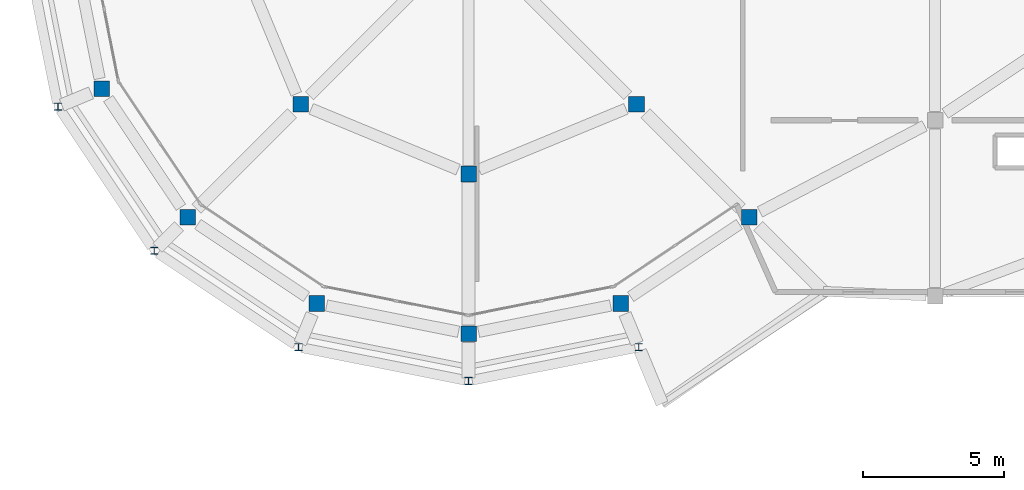
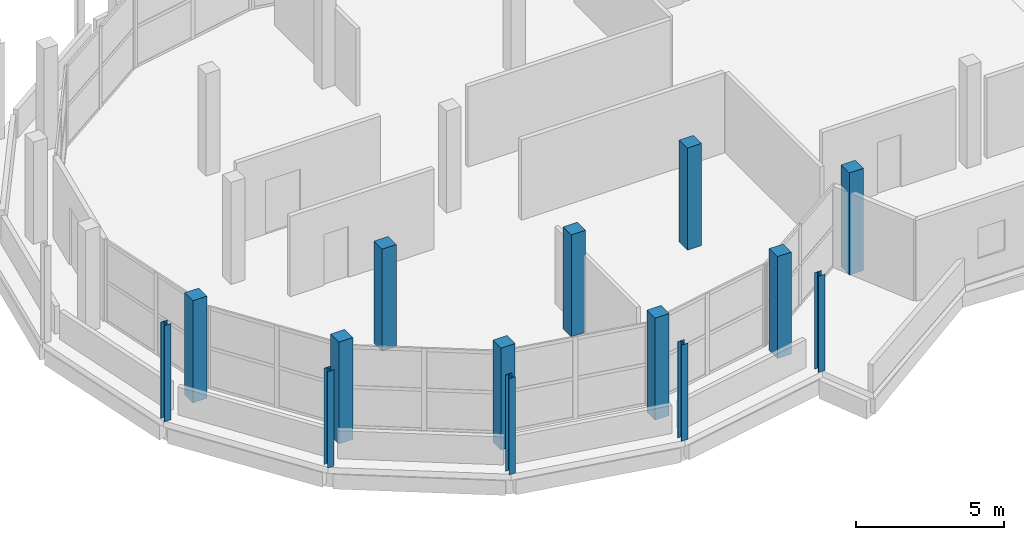
# One storey, part 1 of 63: 14 columns.
"""IFC4 building model written with IfcOpenShell, lengths in metres."""

from ifc_helpers import new_model, si_unit, direction, frame, origin, origin_2d, place, context, subcontext, project, spatial, rectangle, i_section, extrude, material, material_profile, profile_set, type_object, element, save


model = new_model("IFC4")

# Units and contexts
model_context = context("Model", 3, precision=1e-05, world=origin(), true_north=direction((0.0, 1.0)))
body_context = subcontext(model_context, "Body", "Model", "MODEL_VIEW")
ifc_project = project(units=[si_unit("LENGTHUNIT", "METRE"), si_unit("AREAUNIT", "SQUARE_METRE"), si_unit("VOLUMEUNIT", "CUBIC_METRE"), si_unit("PLANEANGLEUNIT", "RADIAN"), si_unit("MASSUNIT", "GRAM", prefix="KILO")], contexts=[model_context])

# Site, building, storey
site_placement = place(None, origin())
site = spatial("IfcSite", under=ifc_project, at=site_placement, CompositionType="ELEMENT")
building_placement = place(site_placement, origin())
building = spatial("IfcBuilding", under=site, at=building_placement, Name="Jelvoka-Kovrelna Polytechnic", CompositionType="ELEMENT")
storey_placement = place(building_placement, frame((0.0, 0.0, 18.0)))
storey = spatial("IfcBuildingStorey", under=building, at=storey_placement, Name="L05", CompositionType="ELEMENT", Elevation=18.0)

# Columns
ifc_material_1 = material(Name="Concrete C40/50", Category="concrete")
ifc_material_profile_1 = material_profile(ifc_material_1, rectangle(XDim=0.550048828125, YDim=0.550048828125, at=origin_2d()), Name="RC 550x550")
ifc_profile_set_1 = profile_set([ifc_material_profile_1], Name="Concrete C40/50")
column_type_1 = type_object("IfcColumnType", Name="Col_RC_550", PredefinedType="COLUMN", material=ifc_profile_set_1)
for number, where, z_axis, x_axis, name in (
    (1, (25.5, 28.449951171875, 0.0), (0.0, 0.0, 1.0), (1.0, 0.0, 0.0), "L05 column 0413"),
    (2, (20.123291015625, 29.51953125, 0.0), (0.0, 0.0, 1.0), (1.0, 0.0, 0.0), "L05 column 0419"),
    (3, (30.876708984375, 29.51953125, 0.0), (0.0, 0.0, 1.0), (1.0, 0.0, 0.0), "L05 column 0425"),
    (4, (15.565185546875, 32.565185546875, 0.0), (0.0, 0.0, 1.0), (1.0, 0.0, 0.0), "L05 column 0577"),
    (5, (35.434814453125, 32.565185546875, 0.0), (0.0, 0.0, 1.0), (1.0, 0.0, 0.0), "L05 column 0583"),
    (6, (25.5, 34.10009765625, 0.0), (0.0, 0.0, 1.0), (1.0, 0.0, 0.0), "L05 column 0589"),
    (7, (19.560302734375, 36.560302734375, 0.0), (0.0, 0.0, 1.0), (1.0, 0.0, 0.0), "L05 column 0601"),
    (8, (31.439697265625, 36.560302734375, 0.0), (0.0, 0.0, 1.0), (1.0, 0.0, 0.0), "L05 column 0607"),
    (9, (12.51953125, 37.123291015625, 0.0), (0.0, 0.0, 1.0), (1.0, 0.0, 0.0), "L05 column 0613"),
):
    element("IfcColumn", number, at=place(storey_placement, frame(where, z_axis=z_axis, x_axis=x_axis)), inside=storey, type_object=column_type_1, Name=name, PredefinedType="COLUMN", context=body_context, shape_type="SweptSolid", body=[
        extrude(rectangle(XDim=0.550048828125, YDim=0.550048828125, at=origin_2d()), origin(), (0.0, 0.0, 1.0), 4.199951171875),
    ])
ifc_material_2 = material(Name="Structural steel S355JR", Category="steel")
ifc_material_profile_2 = material_profile(ifc_material_2, i_section(OverallWidth=0.254638671875, OverallDepth=0.254150390625, WebThickness=0.008544921875, FlangeThickness=0.01416015625, FilletRadius=0.0126953125, at=origin_2d()), Name="254x254x73 UC")
ifc_profile_set_2 = profile_set([ifc_material_profile_2], Name="Structural steel S355JR")
column_type_2 = type_object("IfcColumnType", Name="Col_Steel_UC254", PredefinedType="COLUMN", material=ifc_profile_set_2)
for number, where, z_axis, x_axis, name in (
    (10, (10.9765625, 36.484130859375, 0.0), (0.0, 0.0, 1.0), (1.0, 0.0, 0.0), "L05 recessed rotunda gallery post 1763"),
    (11, (14.38427734375, 31.38427734375, 0.0), (0.0, 0.0, 1.0), (1.0, 0.0, 0.0), "L05 recessed rotunda gallery post 1769"),
    (12, (19.484130859375, 27.9765625, 0.0), (0.0, 0.0, 1.0), (1.0, 0.0, 0.0), "L05 recessed rotunda gallery post 1775"),
    (13, (25.5, 26.780029296875, 0.0), (0.0, 0.0, 1.0), (1.0, 0.0, 0.0), "L05 recessed rotunda gallery post 1781"),
    (14, (31.515869140625, 27.9765625, 0.0), (0.0, 0.0, 1.0), (1.0, 0.0, 0.0), "L05 recessed rotunda gallery post 1787"),
):
    element("IfcColumn", number, at=place(storey_placement, frame(where, z_axis=z_axis, x_axis=x_axis)), inside=storey, type_object=column_type_2, Name=name, PredefinedType="COLUMN", context=body_context, shape_type="SweptSolid", body=[
        extrude(i_section(OverallWidth=0.254638671875, OverallDepth=0.254150390625, WebThickness=0.008544921875, FlangeThickness=0.01416015625, FilletRadius=0.0126953125, at=origin_2d()), origin(), (0.0, 0.0, 1.0), 3.9599609375),
    ])

save(model, "model.ifc")
